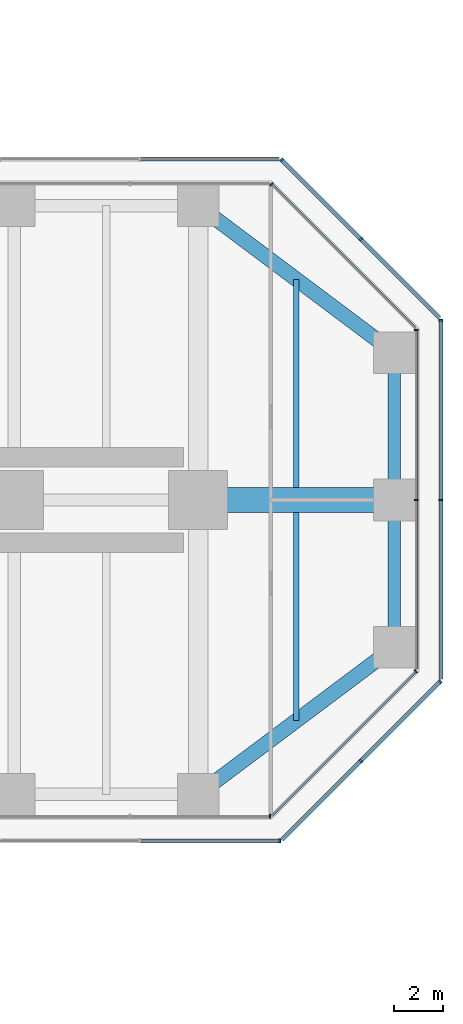
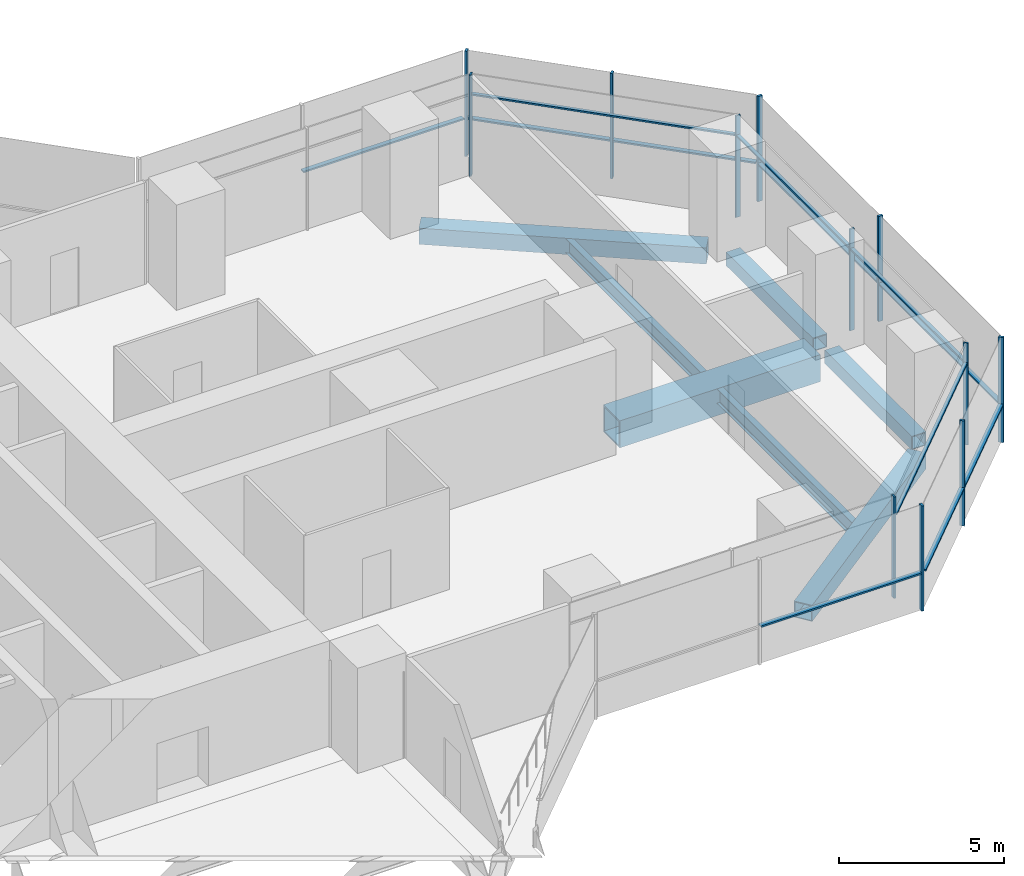
# One storey, part 11 of 19: 24 members, 7 beams, 9 elements without a shape of their own.
"""IFC4 building model written with IfcOpenShell, lengths in metres."""

from ifc_helpers import new_model, si_unit, direction, frame, origin, origin_2d, place, context, subcontext, project, spatial, rectangle, hollow_rectangle, i_section, extrude, material, material_profile, profile_set, type_object, element, aggregate, save


model = new_model("IFC4")

# Units and contexts
model_context = context("Model", 3, precision=1e-05, world=origin(), true_north=direction((0.0, 1.0)))
body_context = subcontext(model_context, "Body", "Model", "MODEL_VIEW")
ifc_project = project(units=[si_unit("LENGTHUNIT", "METRE"), si_unit("AREAUNIT", "SQUARE_METRE"), si_unit("VOLUMEUNIT", "CUBIC_METRE"), si_unit("PLANEANGLEUNIT", "RADIAN"), si_unit("MASSUNIT", "GRAM", prefix="KILO")], contexts=[model_context])

# Site, building, storey
site_placement = place(None, origin())
site = spatial("IfcSite", under=ifc_project, at=site_placement, CompositionType="ELEMENT")
building_placement = place(site_placement, origin())
building = spatial("IfcBuilding", under=site, at=building_placement, Name="Mizan Broadcast Tower", CompositionType="ELEMENT")
storey_placement = place(building_placement, frame((0.0, 0.0, 163.199951171875)))
storey = spatial("IfcBuildingStorey", under=building, at=storey_placement, Name="L37", CompositionType="ELEMENT", Elevation=163.199951171875)

# Beams
ifc_material_1 = material(Name="Steel S355", Category="steel")
ifc_material_profile_1 = material_profile(ifc_material_1, hollow_rectangle(XDim=0.5, YDim=0.5, WallThickness=0.030029296875, at=origin_2d()), Name="BOX 500x500x30")
ifc_profile_set_1 = profile_set([ifc_material_profile_1], Name="Steel S355")
beam_type_1 = type_object("IfcBeamType", Name="EDGE BEAM BOX 500x500x30", PredefinedType="SPANDREL", material=ifc_profile_set_1)
for number, where, z_axis, x_axis, name in (
    (1, (35.0, -5.639892578125, -0.3798828125), (0.0, 1.0, 0.0), (-1.0, 0.0, 0.0), "Edge beam BOX 500x500x30 L37 east arm"),
    (2, (35.0, 5.639892578125, -0.3798828125), (0.0, -1.0, 0.0), (1.0, 0.0, 0.0), "Edge beam BOX 500x500x30 L37 east arm"),
):
    element("IfcBeam", number, at=place(storey_placement, frame(where, z_axis=z_axis, x_axis=x_axis)), inside=storey, type_object=beam_type_1, Name=name, PredefinedType="SPANDREL", context=body_context, shape_type="SweptSolid", body=[
        extrude(hollow_rectangle(XDim=0.5, YDim=0.5, WallThickness=0.030029296875, at=origin_2d()), origin(), (0.0, 0.0, 1.0), 5.27978515625),
    ])
ifc_material_2 = material(Name="Steel S355", Category="steel")
ifc_material_profile_2 = material_profile(ifc_material_2, hollow_rectangle(XDim=0.60009765625, YDim=0.60009765625, WallThickness=0.030029296875, at=origin_2d()), Name="BOX 600x600x30")
ifc_profile_set_2 = profile_set([ifc_material_profile_2], Name="Steel S355")
beam_type_2 = type_object("IfcBeamType", Name="EDGE BEAM BOX 600x600x30", PredefinedType="SPANDREL", material=ifc_profile_set_2)
for number, where, z_axis, x_axis, name in (
    (3, (27.47998046875, -11.639892578125, -0.429931640625), (0.800013316712, 0.599982243973, 0.0), (-0.599982243973, 0.800013316712, 0.0), "Edge beam BOX 600x600x30 L37 east arm"),
    (4, (27.47998046875, 11.639892578125, -0.429931640625), (0.800013316712, -0.599982243973, 0.0), (0.599982243973, 0.800013316712, 0.0), "Edge beam BOX 600x600x30 L37 east arm"),
):
    element("IfcBeam", number, at=place(storey_placement, frame(where, z_axis=z_axis, x_axis=x_axis)), inside=storey, type_object=beam_type_2, Name=name, PredefinedType="SPANDREL", context=body_context, shape_type="SweptSolid", body=[
        extrude(hollow_rectangle(XDim=0.60009765625, YDim=0.60009765625, WallThickness=0.030029296875, at=origin_2d()), origin(), (0.0, 0.0, 1.0), 8.7998046875),
    ])
ifc_material_3 = material(Name="Steel S460", Category="steel")
ifc_material_profile_3 = material_profile(ifc_material_3, hollow_rectangle(XDim=1.0, YDim=1.0, WallThickness=0.06005859375, at=origin_2d()), Name="BOX 1000x1000x60")
ifc_profile_set_3 = profile_set([ifc_material_profile_3], Name="Steel S460")
beam_type_3 = type_object("IfcBeamType", Name="GIRDER BOX 1000x1000x60", PredefinedType="BEAM", material=ifc_profile_set_3)
beam_placement = place(storey_placement, frame((27.47998046875, 0.0, -0.6298828125), z_axis=(1.0, 0.0, 0.0), x_axis=(0.0, 1.0, 0.0)))
element("IfcBeam", 5, at=beam_placement, inside=storey, type_object=beam_type_3, Name="Girder BOX 1000x1000x60 L37 east arm", PredefinedType="BEAM", context=body_context, shape_type="SweptSolid", body=[
    extrude(hollow_rectangle(XDim=1.0, YDim=1.0, WallThickness=0.06005859375, at=origin_2d()), origin(), (0.0, 0.0, 1.0), 7.0400390625),
])

# Curtain wall, member
ifc_material_4 = material(Name="Aluminium framed glazing", Category="aluminium")
curtain_wall_type_1 = type_object("IfcCurtainWallType", Name="INNER SKIN MID ZONE", PredefinedType="USERDEFINED", material=ifc_material_4)
curtain_wall_1_placement = place(storey_placement, origin())
curtain_wall_1 = element("IfcCurtainWall", 6, at=curtain_wall_1_placement, inside=storey, type_object=curtain_wall_type_1, Name="Inner skin mid zone L37 E side", ObjectType="INNER SKIN MID ZONE", PredefinedType="USERDEFINED")
ifc_material_5 = material(Name="Aluminium, pale anodised", Category="aluminium")
ifc_material_profile_4 = material_profile(ifc_material_5, rectangle(XDim=0.159912109375, YDim=0.06005859375, at=origin_2d()), Name="MULLION 160x60")
ifc_profile_set_4 = profile_set([ifc_material_profile_4], Name="Aluminium, pale anodised")
member_type_1 = type_object("IfcMemberType", Name="INNER SKIN MULLION 60x160", PredefinedType="MULLION", material=ifc_profile_set_4)
member_1_placement = place(storey_placement, frame((29.928466796875, -12.89990234375, 0.0), z_axis=(0.0, 0.0, 1.0), x_axis=(0.0, 1.0, 0.0)))
member_1 = element("IfcMember", 7, at=member_1_placement, type_object=member_type_1, Name="Inner skin mid zone L37 E side mullion 3", PredefinedType="MULLION", context=body_context, shape_type="SweptSolid", body=[
    extrude(rectangle(XDim=0.159912109375, YDim=0.06005859375, at=origin_2d()), origin(), (0.0, 0.0, 1.0), 3.77001953125),
])
aggregate(curtain_wall_1, [member_1])

curtain_wall_2_placement = place(storey_placement, origin())
curtain_wall_2 = element("IfcCurtainWall", 8, at=curtain_wall_2_placement, inside=storey, type_object=curtain_wall_type_1, Name="Inner skin mid zone L37 E chamfer", ObjectType="INNER SKIN MID ZONE", PredefinedType="USERDEFINED")
member_2_placement = place(storey_placement, frame((35.87890625, -6.979736328125, 0.0), z_axis=(0.0, 0.0, 1.0), x_axis=(-0.707106781187, 0.707106781187, 0.0)))
member_2 = element("IfcMember", 9, at=member_2_placement, type_object=member_type_1, Name="Inner skin mid zone L37 E chamfer mullion 2", PredefinedType="MULLION", context=body_context, shape_type="SweptSolid", body=[
    extrude(rectangle(XDim=0.159912109375, YDim=0.06005859375, at=origin_2d()), origin(), (0.0, 0.0, 1.0), 3.77001953125),
])

# Curtain wall, members
curtain_wall_3_placement = place(storey_placement, origin())
curtain_wall_3 = element("IfcCurtainWall", 10, at=curtain_wall_3_placement, inside=storey, type_object=curtain_wall_type_1, Name="Inner skin mid zone L37 E end", ObjectType="INNER SKIN MID ZONE", PredefinedType="USERDEFINED")
member_3_placement = place(storey_placement, frame((35.89990234375, 0.0, 0.0), z_axis=(0.0, 0.0, 1.0), x_axis=(-1.0, 0.0, 0.0)))
member_3 = element("IfcMember", 11, at=member_3_placement, type_object=member_type_1, Name="Inner skin mid zone L37 E end mullion 2", PredefinedType="MULLION", context=body_context, shape_type="SweptSolid", body=[
    extrude(rectangle(XDim=0.159912109375, YDim=0.06005859375, at=origin_2d()), origin(), (0.0, 0.0, 1.0), 3.77001953125),
])
member_4_placement = place(storey_placement, frame((35.89990234375, 6.928466796875, 0.0), z_axis=(0.0, 0.0, 1.0), x_axis=(-1.0, 0.0, 0.0)))
member_4 = element("IfcMember", 12, at=member_4_placement, type_object=member_type_1, Name="Inner skin mid zone L37 E end mullion 3", PredefinedType="MULLION", context=body_context, shape_type="SweptSolid", body=[
    extrude(rectangle(XDim=0.159912109375, YDim=0.06005859375, at=origin_2d()), origin(), (0.0, 0.0, 1.0), 3.77001953125),
])

# Curtain wall, member
curtain_wall_4_placement = place(storey_placement, origin())
curtain_wall_4 = element("IfcCurtainWall", 13, at=curtain_wall_4_placement, inside=storey, type_object=curtain_wall_type_1, Name="Inner skin mid zone L37 E chamfer", ObjectType="INNER SKIN MID ZONE", PredefinedType="USERDEFINED")
member_5_placement = place(storey_placement, frame((29.979736328125, 12.87890625, 0.0), z_axis=(0.0, 0.0, 1.0), x_axis=(-0.707106781187, -0.707106781187, 0.0)))
member_5 = element("IfcMember", 14, at=member_5_placement, type_object=member_type_1, Name="Inner skin mid zone L37 E chamfer mullion 2", PredefinedType="MULLION", context=body_context, shape_type="SweptSolid", body=[
    extrude(rectangle(XDim=0.159912109375, YDim=0.06005859375, at=origin_2d()), origin(), (0.0, 0.0, 1.0), 3.77001953125),
])

# Member
ifc_material_6 = material(Name="Aluminium, pale anodised", Category="aluminium")
ifc_material_profile_5 = material_profile(ifc_material_6, rectangle(XDim=0.1201171875, YDim=0.06005859375, at=origin_2d()), Name="TRANSOM 120x60")
ifc_profile_set_5 = profile_set([ifc_material_profile_5], Name="Aluminium, pale anodised")
member_type_2 = type_object("IfcMemberType", Name="INNER SKIN TRANSOM 60x120", PredefinedType="USERDEFINED", material=ifc_profile_set_5)
member_6_placement = place(storey_placement, frame((30.0009765625, -12.857666015625, 3.030029296875), z_axis=(0.707106781187, 0.707106781187, 0.0), x_axis=(-0.707106781187, 0.707106781187, 0.0)))
member_6 = element("IfcMember", 15, at=member_6_placement, type_object=member_type_2, Name="Inner skin mid zone L37 E chamfer transom 1.1", ObjectType="TRANSOM", PredefinedType="USERDEFINED", context=body_context, shape_type="SweptSolid", body=[
    extrude(rectangle(XDim=0.1201171875, YDim=0.06005859375, at=origin_2d()), origin(), (0.0, 0.0, 1.0), 8.28271484375),
])

aggregate(curtain_wall_2, [member_2, member_6])

member_7_placement = place(storey_placement, frame((35.89990234375, -6.898681640625, 3.030029296875), z_axis=(0.0, 1.0, 0.0), x_axis=(-1.0, 0.0, 0.0)))
member_7 = element("IfcMember", 16, at=member_7_placement, type_object=member_type_2, Name="Inner skin mid zone L37 E end transom 1.1", ObjectType="TRANSOM", PredefinedType="USERDEFINED", context=body_context, shape_type="SweptSolid", body=[
    extrude(rectangle(XDim=0.1201171875, YDim=0.06005859375, at=origin_2d()), origin(), (0.0, 0.0, 1.0), 6.86865234375),
])

member_8_placement = place(storey_placement, frame((35.89990234375, 0.030029296875, 3.030029296875), z_axis=(0.0, 1.0, 0.0), x_axis=(-1.0, 0.0, 0.0)))
member_8 = element("IfcMember", 17, at=member_8_placement, type_object=member_type_2, Name="Inner skin mid zone L37 E end transom 2.1", ObjectType="TRANSOM", PredefinedType="USERDEFINED", context=body_context, shape_type="SweptSolid", body=[
    extrude(rectangle(XDim=0.1201171875, YDim=0.06005859375, at=origin_2d()), origin(), (0.0, 0.0, 1.0), 6.86865234375),
])

aggregate(curtain_wall_3, [member_3, member_4, member_7, member_8])

member_9_placement = place(storey_placement, frame((35.857666015625, 7.0009765625, 3.030029296875), z_axis=(-0.707106781187, 0.707106781187, 0.0), x_axis=(-0.707106781187, -0.707106781187, 0.0)))
member_9 = element("IfcMember", 18, at=member_9_placement, type_object=member_type_2, Name="Inner skin mid zone L37 E chamfer transom 1.1", ObjectType="TRANSOM", PredefinedType="USERDEFINED", context=body_context, shape_type="SweptSolid", body=[
    extrude(rectangle(XDim=0.1201171875, YDim=0.06005859375, at=origin_2d()), origin(), (0.0, 0.0, 1.0), 8.28271484375),
])

aggregate(curtain_wall_4, [member_5, member_9])

# Curtain wall, members
ifc_material_7 = material(Name="Aluminium framed glazing", Category="aluminium")
curtain_wall_type_2 = type_object("IfcCurtainWallType", Name="OUTER SKIN", PredefinedType="USERDEFINED", material=ifc_material_7)
curtain_wall_5_placement = place(storey_placement, origin())
curtain_wall_5 = element("IfcCurtainWall", 19, at=curtain_wall_5_placement, inside=storey, type_object=curtain_wall_type_2, Name="Outer skin L37 E chamfer", ObjectType="OUTER SKIN", PredefinedType="USERDEFINED")
ifc_material_8 = material(Name="Aluminium, pale anodised", Category="aluminium")
ifc_material_profile_6 = material_profile(ifc_material_8, rectangle(XDim=0.159912109375, YDim=0.080078125, at=origin_2d()), Name="MULLION 160x80")
ifc_profile_set_6 = profile_set([ifc_material_profile_6], Name="Aluminium, pale anodised")
member_type_3 = type_object("IfcMemberType", Name="OUTER SKIN MULLION 80x160", PredefinedType="MULLION", material=ifc_profile_set_6)
member_10_placement = place(storey_placement, frame((33.636474609375, -10.636474609375, 0.0), z_axis=(0.0, 0.0, 1.0), x_axis=(-0.707106781187, 0.707106781187, 0.0)))
member_10 = element("IfcMember", 20, at=member_10_placement, type_object=member_type_3, Name="Outer skin L37 E chamfer mullion 2", PredefinedType="MULLION", context=body_context, shape_type="SweptSolid", body=[
    extrude(rectangle(XDim=0.159912109375, YDim=0.080078125, at=origin_2d()), origin(), (0.0, 0.0, 1.0), 3.900146484375),
])
member_11_placement = place(storey_placement, frame((36.871826171875, -7.401123046875, 0.0), z_axis=(0.0, 0.0, 1.0), x_axis=(-0.707106781187, 0.707106781187, 0.0)))
member_11 = element("IfcMember", 21, at=member_11_placement, type_object=member_type_3, Name="Outer skin L37 E chamfer mullion 3", PredefinedType="MULLION", context=body_context, shape_type="SweptSolid", body=[
    extrude(rectangle(XDim=0.159912109375, YDim=0.080078125, at=origin_2d()), origin(), (0.0, 0.0, 1.0), 3.900146484375),
])

curtain_wall_6_placement = place(storey_placement, origin())
curtain_wall_6 = element("IfcCurtainWall", 22, at=curtain_wall_6_placement, inside=storey, type_object=curtain_wall_type_2, Name="Outer skin L37 E end", ObjectType="OUTER SKIN", PredefinedType="USERDEFINED")
member_12_placement = place(storey_placement, frame((36.89990234375, 0.0, 0.0), z_axis=(0.0, 0.0, 1.0), x_axis=(-1.0, 0.0, 0.0)))
member_12 = element("IfcMember", 23, at=member_12_placement, type_object=member_type_3, Name="Outer skin L37 E end mullion 2", PredefinedType="MULLION", context=body_context, shape_type="SweptSolid", body=[
    extrude(rectangle(XDim=0.159912109375, YDim=0.080078125, at=origin_2d()), origin(), (0.0, 0.0, 1.0), 3.900146484375),
])
member_13_placement = place(storey_placement, frame((36.89990234375, 7.332763671875, 0.0), z_axis=(0.0, 0.0, 1.0), x_axis=(-1.0, 0.0, 0.0)))
member_13 = element("IfcMember", 24, at=member_13_placement, type_object=member_type_3, Name="Outer skin L37 E end mullion 3", PredefinedType="MULLION", context=body_context, shape_type="SweptSolid", body=[
    extrude(rectangle(XDim=0.159912109375, YDim=0.080078125, at=origin_2d()), origin(), (0.0, 0.0, 1.0), 3.900146484375),
])

curtain_wall_7_placement = place(storey_placement, origin())
curtain_wall_7 = element("IfcCurtainWall", 25, at=curtain_wall_7_placement, inside=storey, type_object=curtain_wall_type_2, Name="Outer skin L37 E chamfer", ObjectType="OUTER SKIN", PredefinedType="USERDEFINED")
member_14_placement = place(storey_placement, frame((33.636474609375, 10.636474609375, 0.0), z_axis=(0.0, 0.0, 1.0), x_axis=(-0.707106781187, -0.707106781187, 0.0)))
member_14 = element("IfcMember", 26, at=member_14_placement, type_object=member_type_3, Name="Outer skin L37 E chamfer mullion 2", PredefinedType="MULLION", context=body_context, shape_type="SweptSolid", body=[
    extrude(rectangle(XDim=0.159912109375, YDim=0.080078125, at=origin_2d()), origin(), (0.0, 0.0, 1.0), 3.900146484375),
])
member_15_placement = place(storey_placement, frame((30.401123046875, 13.871826171875, 0.0), z_axis=(0.0, 0.0, 1.0), x_axis=(-0.707106781187, -0.707106781187, 0.0)))
member_15 = element("IfcMember", 27, at=member_15_placement, type_object=member_type_3, Name="Outer skin L37 E chamfer mullion 3", PredefinedType="MULLION", context=body_context, shape_type="SweptSolid", body=[
    extrude(rectangle(XDim=0.159912109375, YDim=0.080078125, at=origin_2d()), origin(), (0.0, 0.0, 1.0), 3.900146484375),
])

# Curtain wall, member
curtain_wall_8_placement = place(storey_placement, origin())
curtain_wall_8 = element("IfcCurtainWall", 28, at=curtain_wall_8_placement, inside=storey, type_object=curtain_wall_type_2, Name="Outer skin L37 E side", ObjectType="OUTER SKIN", PredefinedType="USERDEFINED")
member_16_placement = place(storey_placement, frame((30.332763671875, -13.89990234375, 0.0), z_axis=(0.0, 0.0, 1.0), x_axis=(0.0, 1.0, 0.0)))
member_16 = element("IfcMember", 29, at=member_16_placement, type_object=member_type_3, Name="Outer skin L37 E side mullion 3", PredefinedType="MULLION", context=body_context, shape_type="SweptSolid", body=[
    extrude(rectangle(XDim=0.159912109375, YDim=0.080078125, at=origin_2d()), origin(), (0.0, 0.0, 1.0), 3.900146484375),
])

# Member
ifc_material_9 = material(Name="Aluminium, pale anodised", Category="aluminium")
ifc_material_profile_7 = material_profile(ifc_material_9, rectangle(XDim=0.159912109375, YDim=0.06005859375, at=origin_2d()), Name="TRANSOM 160x60")
ifc_profile_set_7 = profile_set([ifc_material_profile_7], Name="Aluminium, pale anodised")
member_type_4 = type_object("IfcMemberType", Name="OUTER SKIN TRANSOM 60x160", PredefinedType="USERDEFINED", material=ifc_profile_set_7)
member_17_placement = place(storey_placement, frame((30.429443359375, -13.843505859375, 1.400146484375), z_axis=(0.707106781187, 0.707106781187, 0.0), x_axis=(-0.707106781187, 0.707106781187, 0.0)))
member_17 = element("IfcMember", 30, at=member_17_placement, type_object=member_type_4, Name="Outer skin L37 E chamfer transom 1.1", ObjectType="TRANSOM", PredefinedType="USERDEFINED", context=body_context, shape_type="SweptSolid", body=[
    extrude(rectangle(XDim=0.159912109375, YDim=0.06005859375, at=origin_2d()), origin(), (0.0, 0.0, 1.0), 4.495361328125),
])

member_18_placement = place(storey_placement, frame((33.664794921875, -10.608154296875, 1.400146484375), z_axis=(0.707106781187, 0.707106781187, 0.0), x_axis=(-0.707106781187, 0.707106781187, 0.0)))
member_18 = element("IfcMember", 31, at=member_18_placement, type_object=member_type_4, Name="Outer skin L37 E chamfer transom 2.1", ObjectType="TRANSOM", PredefinedType="USERDEFINED", context=body_context, shape_type="SweptSolid", body=[
    extrude(rectangle(XDim=0.159912109375, YDim=0.06005859375, at=origin_2d()), origin(), (0.0, 0.0, 1.0), 4.495361328125),
])

aggregate(curtain_wall_5, [member_10, member_11, member_17, member_18])

member_19_placement = place(storey_placement, frame((36.89990234375, -7.292724609375, 1.400146484375), z_axis=(0.0, 1.0, 0.0), x_axis=(-1.0, 0.0, 0.0)))
member_19 = element("IfcMember", 32, at=member_19_placement, type_object=member_type_4, Name="Outer skin L37 E end transom 1.1", ObjectType="TRANSOM", PredefinedType="USERDEFINED", context=body_context, shape_type="SweptSolid", body=[
    extrude(rectangle(XDim=0.159912109375, YDim=0.06005859375, at=origin_2d()), origin(), (0.0, 0.0, 1.0), 7.252685546875),
])

member_20_placement = place(storey_placement, frame((36.89990234375, 0.0400390625, 1.400146484375), z_axis=(0.0, 1.0, 0.0), x_axis=(-1.0, 0.0, 0.0)))
member_20 = element("IfcMember", 33, at=member_20_placement, type_object=member_type_4, Name="Outer skin L37 E end transom 2.1", ObjectType="TRANSOM", PredefinedType="USERDEFINED", context=body_context, shape_type="SweptSolid", body=[
    extrude(rectangle(XDim=0.159912109375, YDim=0.06005859375, at=origin_2d()), origin(), (0.0, 0.0, 1.0), 7.252685546875),
])

aggregate(curtain_wall_6, [member_12, member_13, member_19, member_20])

member_21_placement = place(storey_placement, frame((36.843505859375, 7.429443359375, 1.400146484375), z_axis=(-0.707106781187, 0.707106781187, 0.0), x_axis=(-0.707106781187, -0.707106781187, 0.0)))
member_21 = element("IfcMember", 34, at=member_21_placement, type_object=member_type_4, Name="Outer skin L37 E chamfer transom 1.1", ObjectType="TRANSOM", PredefinedType="USERDEFINED", context=body_context, shape_type="SweptSolid", body=[
    extrude(rectangle(XDim=0.159912109375, YDim=0.06005859375, at=origin_2d()), origin(), (0.0, 0.0, 1.0), 4.495361328125),
])

member_22_placement = place(storey_placement, frame((33.608154296875, 10.664794921875, 1.400146484375), z_axis=(-0.707106781187, 0.707106781187, 0.0), x_axis=(-0.707106781187, -0.707106781187, 0.0)))
member_22 = element("IfcMember", 35, at=member_22_placement, type_object=member_type_4, Name="Outer skin L37 E chamfer transom 2.1", ObjectType="TRANSOM", PredefinedType="USERDEFINED", context=body_context, shape_type="SweptSolid", body=[
    extrude(rectangle(XDim=0.159912109375, YDim=0.06005859375, at=origin_2d()), origin(), (0.0, 0.0, 1.0), 4.495361328125),
])

aggregate(curtain_wall_7, [member_14, member_15, member_21, member_22])

# Curtain wall, member
curtain_wall_9_placement = place(storey_placement, origin())
curtain_wall_9 = element("IfcCurtainWall", 36, at=curtain_wall_9_placement, inside=storey, type_object=curtain_wall_type_2, Name="Outer skin L37 E side", ObjectType="OUTER SKIN", PredefinedType="USERDEFINED")
member_23_placement = place(storey_placement, frame((30.292724609375, 13.89990234375, 1.400146484375), z_axis=(-1.0, 0.0, 0.0), x_axis=(0.0, -1.0, 0.0)))
member_23 = element("IfcMember", 37, at=member_23_placement, type_object=member_type_4, Name="Outer skin L37 E side transom 1.1", ObjectType="TRANSOM", PredefinedType="USERDEFINED", context=body_context, shape_type="SweptSolid", body=[
    extrude(rectangle(XDim=0.159912109375, YDim=0.06005859375, at=origin_2d()), origin(), (0.0, 0.0, 1.0), 5.6298828125),
])
aggregate(curtain_wall_9, [member_23])

# Member
member_24_placement = place(storey_placement, frame((24.662841796875, -13.89990234375, 1.400146484375), z_axis=(1.0, 0.0, 0.0), x_axis=(0.0, 1.0, 0.0)))
member_24 = element("IfcMember", 38, at=member_24_placement, type_object=member_type_4, Name="Outer skin L37 E side transom 2.1", ObjectType="TRANSOM", PredefinedType="USERDEFINED", context=body_context, shape_type="SweptSolid", body=[
    extrude(rectangle(XDim=0.159912109375, YDim=0.06005859375, at=origin_2d()), origin(), (0.0, 0.0, 1.0), 5.6298828125),
])

aggregate(curtain_wall_8, [member_16, member_24])

# Beams
ifc_material_10 = material(Name="Steel S355", Category="steel")
ifc_material_profile_8 = material_profile(ifc_material_10, i_section(OverallWidth=0.2099609375, OverallDepth=0.550048828125, WebThickness=0.010986328125, FlangeThickness=0.01708984375, FilletRadius=0.02392578125, at=origin_2d()), Name="IPE 550")
ifc_profile_set_8 = profile_set([ifc_material_profile_8], Name="Steel S355")
beam_type_4 = type_object("IfcBeamType", Name="SECONDARY BEAM IPE 550", PredefinedType="JOIST", material=ifc_profile_set_8)
for number, where, z_axis, x_axis, name in (
    (39, (31.0, -9.0, -0.405029296875), (0.0, 1.0, 0.0), (-1.0, 0.0, 0.0), "Secondary beam IPE 550 L37 east arm"),
    (40, (31.0, 9.0, -0.405029296875), (0.0, -1.0, 0.0), (1.0, 0.0, 0.0), "Secondary beam IPE 550 L37 east arm"),
):
    element("IfcBeam", number, at=place(storey_placement, frame(where, z_axis=z_axis, x_axis=x_axis)), inside=storey, type_object=beam_type_4, Name=name, PredefinedType="JOIST", context=body_context, shape_type="SweptSolid", body=[
        extrude(i_section(OverallWidth=0.2099609375, OverallDepth=0.550048828125, WebThickness=0.010986328125, FlangeThickness=0.01708984375, FilletRadius=0.02392578125, at=origin_2d()), origin(), (0.0, 0.0, 1.0), 8.5),
    ])

save(model, "model.ifc")
